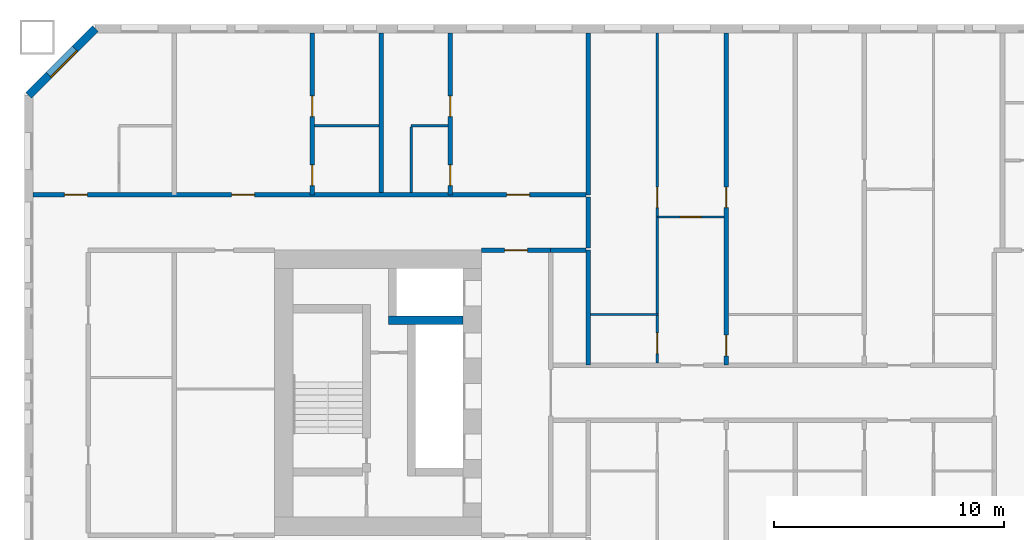
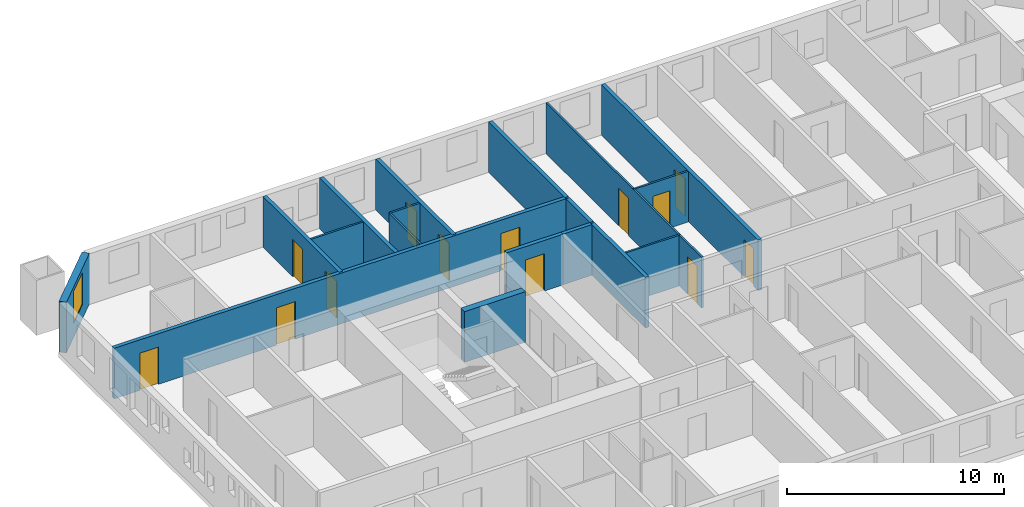
# One storey, part 5 of 17: 18 walls, 13 doors, 1 window, 14 openings.
"""IFC4 building model written with IfcOpenShell, lengths in metres."""

import ifcopenshell
import ifcopenshell.guid

model = None  # the IFC model being written
_history = None  # IfcOwnerHistory: only IFC2X3 demands one
_inside = {}  # id of a spatial element -> (the spatial element, [elements in it])
_under = {}  # id of a project, library or spatial element -> (it, [spatial elements below it])
_declared = {}  # id of a project -> (the project, [libraries it declares])
_typed = {}  # id of a type object -> (the type object, [elements of that type])
_made_of = {}  # id of a material, layer set ... -> (it, [elements and type objects made of it])


def new_model(schema):
    """Start an empty IFC model of exactly this schema.

    Asked for "IFC4X3", IfcOpenShell would pick the latest addendum, in which some entities
    have other attributes; the version numbers below select the first issue.
    IFC2X3 requires an IfcOwnerHistory on every rooted entity: one is made here for all.
    """
    global model, _history
    if schema == "IFC4X3":
        model = ifcopenshell.file(schema_version=(4, 3, 0, 0))
    else:
        model = ifcopenshell.file(schema=schema)
    _inside.clear()
    _under.clear()
    _declared.clear()
    _typed.clear()
    _made_of.clear()
    _history = None
    if model.schema == "IFC2X3":
        org = make("IfcOrganization", Name="unknown")
        user = make(
            "IfcPersonAndOrganization",
            ThePerson=make("IfcPerson", FamilyName="unknown"),
            TheOrganization=org,
        )
        app = make(
            "IfcApplication",
            ApplicationDeveloper=org,
            Version="unknown",
            ApplicationFullName="unknown",
            ApplicationIdentifier="unknown",
        )
        _history = make(
            "IfcOwnerHistory",
            OwningUser=user,
            OwningApplication=app,
            ChangeAction="ADDED",
            CreationDate=0,
        )
    return model


def make(cls, **values):
    """One entity of the class cls with the attributes given. An attribute that is None is left unset."""
    return model.create_entity(
        cls, **{name: value for name, value in values.items() if value is not None}
    )


def rooted(cls, **values):
    """An entity with a GlobalId (a new one), such as an element, a storey or a relation."""
    return make(cls, GlobalId=ifcopenshell.guid.new(), OwnerHistory=_history, **values)


def si_unit(unit_type, name, prefix=None):
    """IfcSIUnit, for example si_unit("LENGTHUNIT", "METRE", prefix="MILLI")."""
    return make("IfcSIUnit", UnitType=unit_type, Prefix=prefix, Name=name)


def assignment(units):
    """IfcUnitAssignment: the units of a project."""
    return None if units is None else make("IfcUnitAssignment", Units=units)


def point(xyz):
    """IfcCartesianPoint."""
    return None if xyz is None else make("IfcCartesianPoint", Coordinates=xyz)


def direction(xyz):
    """IfcDirection."""
    return None if xyz is None else make("IfcDirection", DirectionRatios=xyz)


def frame(location, z_axis=None, x_axis=None):
    """IfcAxis2Placement3D, a coordinate frame: its origin and axes. An axis left out is left unset."""
    return make(
        "IfcAxis2Placement3D",
        Location=point(location),
        Axis=direction(z_axis),
        RefDirection=direction(x_axis),
    )


def frame_2d(location, x_axis=None):
    """IfcAxis2Placement2D, a coordinate frame in the plane: its origin and x axis."""
    return make(
        "IfcAxis2Placement2D", Location=point(location), RefDirection=direction(x_axis)
    )


def origin():
    """The frame at (0, 0, 0) with its axes left unset."""
    return frame((0.0, 0.0, 0.0))


def place(relative_to, where):
    """IfcLocalPlacement: puts the frame where relative to a parent placement (None: the world)."""
    return make(
        "IfcLocalPlacement", PlacementRelTo=relative_to, RelativePlacement=where
    )


def context(
    kind, dimensions, precision=None, world=None, true_north=None, identifier=None
):
    """IfcGeometricRepresentationContext, for example the 3D "Model" context."""
    return make(
        "IfcGeometricRepresentationContext",
        ContextIdentifier=identifier,
        ContextType=kind,
        CoordinateSpaceDimension=dimensions,
        Precision=precision,
        WorldCoordinateSystem=world,
        TrueNorth=true_north,
    )


def subcontext(parent, identifier, kind, view, scale=None):
    """IfcGeometricRepresentationSubContext, for example "Body" below "Model"."""
    return make(
        "IfcGeometricRepresentationSubContext",
        ContextIdentifier=identifier,
        ContextType=kind,
        ParentContext=parent,
        TargetScale=scale,
        TargetView=view,
    )


def project(units=None, contexts=None):
    """IfcProject with its units and contexts."""
    return rooted(
        "IfcProject",
        Name="project",
        RepresentationContexts=contexts,
        UnitsInContext=assignment(units),
    )


def spatial(cls, under=None, at=None, **own):
    """A site, building, storey or space (cls), placed at a placement, below another one or the project."""
    s = rooted(cls, ObjectPlacement=at, **own)
    if under is not None:
        _under.setdefault(under.id(), (under, []))[1].append(s)
    return s


def profile(cls, at=None, kind="AREA", **sizes):
    """A parametric profile (cls). Its sizes go by their IFC names, for example OverallWidth=200.0."""
    return make(cls, ProfileType=kind, Position=at, **sizes)


def rectangle(**sizes):
    """IfcRectangleProfileDef."""
    return profile("IfcRectangleProfileDef", **sizes)


def extrude(swept, where, along, depth):
    """IfcExtrudedAreaSolid: the profile swept, set in the frame where, extruded along a direction by depth."""
    return make(
        "IfcExtrudedAreaSolid",
        SweptArea=swept,
        Position=where,
        ExtrudedDirection=direction(along),
        Depth=depth,
    )


def shape(context_of_items, identifier, shape_type, items):
    """IfcShapeRepresentation: the items that make up one representation, for example the "Body"."""
    return make(
        "IfcShapeRepresentation",
        ContextOfItems=context_of_items,
        RepresentationIdentifier=identifier,
        RepresentationType=shape_type,
        Items=items,
    )


def material(Name=None, Category=None):
    """IfcMaterial."""
    return make("IfcMaterial", Name=Name, Category=Category)


def layer(
    of_material, thickness, ventilated=None, Name=None, Category=None, Priority=None
):
    """IfcMaterialLayer: one layer of a wall or slab, of a material (None: an air gap)."""
    return make(
        "IfcMaterialLayer",
        Material=of_material,
        LayerThickness=thickness,
        IsVentilated=ventilated,
        Name=Name,
        Category=Category,
        Priority=Priority,
    )


def layer_set(layers, Name=None):
    """IfcMaterialLayerSet."""
    return make("IfcMaterialLayerSet", MaterialLayers=layers, LayerSetName=Name)


def made_of(thing, what):
    """Note that an element or type object is made of a material, layer set ...; save() writes the relation."""
    if what is not None:
        _made_of.setdefault(what.id(), (what, []))[1].append(thing)
    return thing


def type_object(cls, material=None, **own):
    """A type object (cls), such as IfcWallType, which elements share."""
    return made_of(rooted(cls, **own), material)


def element(
    cls,
    number,
    at=None,
    inside=None,
    cuts=None,
    type_object=None,
    material=None,
    context=None,
    identifier="Body",
    shape_type=None,
    held_by="IfcProductDefinitionShape",
    body=None,
    shapes=None,
    **own,
):
    """One element of the class cls, such as IfcWall. Its Tag is "e" and its number.

    at: its placement. inside: the storey or other place that contains it. cuts: it is an
    opening in that element (IfcRelVoidsElement). A single representation is given by context,
    identifier, shape_type and body (its items); several are given by shapes. held_by: the class
    of the entity that holds the representations. save() writes the other relations.
    """
    e = rooted(cls, Tag="e%d" % number, ObjectPlacement=at, **own)
    if body is not None:
        shapes = [shape(context, identifier, shape_type, body)]
    if shapes is not None:
        e.Representation = make(held_by, Representations=shapes)
    if inside is not None:
        _inside.setdefault(inside.id(), (inside, []))[1].append(e)
    if cuts is not None:
        rooted(
            "IfcRelVoidsElement", RelatingBuildingElement=cuts, RelatedOpeningElement=e
        )
    if type_object is not None:
        _typed.setdefault(type_object.id(), (type_object, []))[1].append(e)
    return made_of(e, material)


def fill(opening, filler):
    """IfcRelFillsElement: the door or window that sits in an opening."""
    return rooted(
        "IfcRelFillsElement",
        RelatingOpeningElement=opening,
        RelatedBuildingElement=filler,
    )


def aggregate(whole, parts):
    """IfcRelAggregates: a whole, such as a stair, and the parts it consists of."""
    return rooted("IfcRelAggregates", RelatingObject=whole, RelatedObjects=parts)


def save(model, path):
    """Write the relations noted so far, then the file.

    IfcRelAggregates (storeys below a building ...), IfcRelContainedInSpatialStructure (elements
    in a storey), IfcRelDefinesByType, IfcRelAssociatesMaterial and IfcRelDeclares: one each for
    every whole, place, type object, material and project.
    """
    for whole, parts in _under.values():
        aggregate(whole, parts)
    for where, things in _inside.values():
        rooted(
            "IfcRelContainedInSpatialStructure",
            RelatedElements=things,
            RelatingStructure=where,
        )
    for kind, things in _typed.values():
        rooted("IfcRelDefinesByType", RelatedObjects=things, RelatingType=kind)
    for what, things in _made_of.values():
        rooted("IfcRelAssociatesMaterial", RelatedObjects=things, RelatingMaterial=what)
    for by, libraries in _declared.values():
        rooted("IfcRelDeclares", RelatingContext=by, RelatedDefinitions=libraries)
    model.write(path)


model = new_model("IFC4")

# Units and contexts
model_context = context("Model", 3, precision=1e-05, world=origin(), true_north=direction((0.0, 1.0)))
body_context = subcontext(model_context, "Body", "Model", "MODEL_VIEW")
ifc_project = project(units=[si_unit("LENGTHUNIT", "METRE"), si_unit("AREAUNIT", "SQUARE_METRE"), si_unit("VOLUMEUNIT", "CUBIC_METRE"), si_unit("PLANEANGLEUNIT", "RADIAN"), si_unit("MASSUNIT", "GRAM", prefix="KILO")], contexts=[model_context])

# Site, building, storey
site_placement = place(None, origin())
site = spatial("IfcSite", under=ifc_project, at=site_placement, CompositionType="ELEMENT")
building_placement = place(site_placement, origin())
building = spatial("IfcBuilding", under=site, at=building_placement, Name="Tuart Gate Housing", CompositionType="ELEMENT")
storey_placement = place(building_placement, frame((0.0, 0.0, 50.5)))
storey = spatial("IfcBuildingStorey", under=building, at=storey_placement, Name="L13", CompositionType="ELEMENT", Elevation=50.5)

# Wall, opening, window
ifc_material_1 = material(Name="Brick", Category="masonry")
ifc_layer_1 = layer(ifc_material_1, 0.360107421875)
ifc_layer_set_1 = layer_set([ifc_layer_1], Name="Brick pier and spandrel wall 360")
wall_type_1 = type_object("IfcWallType", Name="Brick pier and spandrel wall 360", PredefinedType="STANDARD", material=ifc_layer_set_1)
wall_1_placement = place(storey_placement, frame((24.57470703125, 85.820068359375, 0.0), z_axis=(0.0, 0.0, 1.0), x_axis=(-0.707106781187, -0.707106781187, 0.0)))
wall_1 = element("IfcWall", 1, at=wall_1_placement, inside=storey, type_object=wall_type_1, Name="External wall A-NW L13", PredefinedType="STANDARD", context=body_context, shape_type="SweptSolid", body=[
    extrude(rectangle(XDim=4.09375, YDim=0.360107421875, at=frame_2d((2.046875, 0.0))), origin(), (0.0, 0.0, 1.0), 2.85009765625),
])
opening_1_placement = place(wall_1_placement, frame((1.2470703125, 0.0, 0.800048828125)))
opening_1 = element("IfcOpeningElement", 2, at=opening_1_placement, cuts=wall_1, Name="Opening W1", PredefinedType="OPENING", context=body_context, shape_type="SweptSolid", body=[
    extrude(rectangle(XDim=1.60009765625, YDim=1.800048828125, at=frame_2d((0.800048828125, 0.89990234375))), frame((0.0, 0.18994140625, 0.0), z_axis=(0.0, -1.0, 0.0), x_axis=(1.0, 0.0, 0.0)), (0.0, 0.0, 1.0), 0.380126953125),
])
ifc_material_2 = material(Name="Aluminium frame with clear glass", Category="aluminium")
window_type = type_object("IfcWindowType", Name="Punched window 1600 x 1800", PartitioningType="SINGLE_PANEL", PredefinedType="WINDOW", material=ifc_material_2)
window_placement = place(opening_1_placement, origin())
window = element("IfcWindow", 3, at=window_placement, inside=storey, type_object=window_type, Name="Window W1", OverallHeight=1.800048828125, OverallWidth=1.60009765625, PartitioningType="SINGLE_PANEL", PredefinedType="WINDOW", context=body_context, shape_type="SweptSolid", body=[
    extrude(rectangle(XDim=1.60009765625, YDim=1.800048828125, at=frame_2d((0.800048828125, 0.89990234375))), frame((0.0, 0.150146484375, 0.0), z_axis=(0.0, -1.0, 0.0), x_axis=(1.0, 0.0, 0.0)), (0.0, 0.0, 1.0), 0.06005859375),
])
fill(opening_1, window)

# Walls
ifc_material_3 = material(Name="Concrete C60", Category="concrete")
ifc_layer_2 = layer(ifc_material_3, 0.35009765625)
ifc_layer_set_2 = layer_set([ifc_layer_2], Name="Core wall 350 C60")
wall_type_2 = type_object("IfcWallType", Name="Core wall 350 C60", PredefinedType="SHEAR", material=ifc_layer_set_2)
wall_2_placement = place(storey_placement, frame((40.56005859375, 73.14990234375, 0.0), z_axis=(0.0, 0.0, 1.0), x_axis=(-1.0, 0.0, 0.0)))
element("IfcWall", 4, at=wall_2_placement, inside=storey, type_object=wall_type_2, Name="Core wall AK.2", PredefinedType="SHEAR", context=body_context, shape_type="SweptSolid", body=[
    extrude(rectangle(XDim=3.2451171875, YDim=0.35009765625, at=frame_2d((1.62255859375, 0.0))), origin(), (0.0, 0.0, 1.0), 2.85009765625),
])
ifc_material_4 = material(Name="Concrete masonry 15 MPa", Category="masonry")
ifc_layer_3 = layer(ifc_material_4, 0.199951171875)
ifc_layer_set_3 = layer_set([ifc_layer_3], Name="Corridor wall masonry 200")
wall_type_3 = type_object("IfcWallType", Name="Corridor wall masonry 200", PredefinedType="PARTITIONING", material=ifc_layer_set_3)
wall_3_placement = place(storey_placement, frame((44.360107421875, 76.199951171875, 0.0), z_axis=(0.0, 0.0, 1.0), x_axis=(1.0, 0.0, 0.0)))
element("IfcWall", 5, at=wall_3_placement, inside=storey, type_object=wall_type_3, Name="Corridor wall masonry 200", PredefinedType="PARTITIONING", context=body_context, shape_type="SweptSolid", body=[
    extrude(rectangle(XDim=1.539794921875, YDim=0.199951171875, at=frame_2d((0.77001953125, 0.0))), origin(), (0.0, 0.0, 1.0), 2.85009765625),
])

# Wall, openings, doors
wall_4_placement = place(storey_placement, frame((21.860107421875, 78.60009765625, 0.0), z_axis=(0.0, 0.0, 1.0), x_axis=(1.0, 0.0, 0.0)))
wall_4 = element("IfcWall", 6, at=wall_4_placement, inside=storey, type_object=wall_type_3, Name="Corridor wall masonry 200", PredefinedType="PARTITIONING", context=body_context, shape_type="SweptSolid", body=[
    extrude(rectangle(XDim=24.039794921875, YDim=0.199951171875, at=frame_2d((12.02001953125, 0.0))), origin(), (0.0, 0.0, 1.0), 2.85009765625),
])
opening_2_placement = place(wall_4_placement, frame((20.590087890625, 0.0, 0.0)))
opening_2 = element("IfcOpeningElement", 7, at=opening_2_placement, cuts=wall_4, Name="Opening D600", PredefinedType="OPENING", context=body_context, shape_type="SweptSolid", body=[
    extrude(rectangle(XDim=1.0, YDim=2.10009765625, at=frame_2d((0.5, 1.050048828125))), frame((0.0, 0.10986328125, 0.0), z_axis=(0.0, -1.0, 0.0), x_axis=(1.0, 0.0, 0.0)), (0.0, 0.0, 1.0), 0.219970703125),
])
opening_3_placement = place(wall_4_placement, frame((8.639892578125, 0.0, 0.0)))
opening_3 = element("IfcOpeningElement", 8, at=opening_3_placement, cuts=wall_4, Name="Opening D601", PredefinedType="OPENING", context=body_context, shape_type="SweptSolid", body=[
    extrude(rectangle(XDim=1.0, YDim=2.10009765625, at=frame_2d((0.5, 1.050048828125))), frame((0.0, 0.10986328125, 0.0), z_axis=(0.0, -1.0, 0.0), x_axis=(1.0, 0.0, 0.0)), (0.0, 0.0, 1.0), 0.219970703125),
])
opening_4_placement = place(wall_4_placement, frame((1.3701171875, 0.0, 0.0)))
opening_4 = element("IfcOpeningElement", 9, at=opening_4_placement, cuts=wall_4, Name="Opening D602", PredefinedType="OPENING", context=body_context, shape_type="SweptSolid", body=[
    extrude(rectangle(XDim=1.0, YDim=2.10009765625, at=frame_2d((0.5, 1.050048828125))), frame((0.0, 0.10986328125, 0.0), z_axis=(0.0, -1.0, 0.0), x_axis=(1.0, 0.0, 0.0)), (0.0, 0.0, 1.0), 0.219970703125),
])
ifc_material_5 = material(Name="Timber door leaf in steel frame", Category="steel")
door_type_1 = type_object("IfcDoorType", Name="Flat entrance door 1000", OperationType="SINGLE_SWING_LEFT", PredefinedType="DOOR", material=ifc_material_5)
door_1_placement = place(opening_2_placement, origin())
door_1 = element("IfcDoor", 10, at=door_1_placement, inside=storey, type_object=door_type_1, Name="Flat entrance door", OperationType="SINGLE_SWING_LEFT", OverallHeight=2.10009765625, OverallWidth=1.0, PredefinedType="DOOR", context=body_context, shape_type="SweptSolid", body=[
    extrude(rectangle(XDim=1.0, YDim=2.10009765625, at=frame_2d((0.5, 1.050048828125))), frame((0.0, 0.02490234375, 0.0), z_axis=(0.0, -1.0, 0.0), x_axis=(1.0, 0.0, 0.0)), (0.0, 0.0, 1.0), 0.050048828125),
])
fill(opening_2, door_1)
door_2_placement = place(opening_3_placement, origin())
door_2 = element("IfcDoor", 11, at=door_2_placement, inside=storey, type_object=door_type_1, Name="Flat entrance door", OperationType="SINGLE_SWING_LEFT", OverallHeight=2.10009765625, OverallWidth=1.0, PredefinedType="DOOR", context=body_context, shape_type="SweptSolid", body=[
    extrude(rectangle(XDim=1.0, YDim=2.10009765625, at=frame_2d((0.5, 1.050048828125))), frame((0.0, 0.02490234375, 0.0), z_axis=(0.0, -1.0, 0.0), x_axis=(1.0, 0.0, 0.0)), (0.0, 0.0, 1.0), 0.050048828125),
])
fill(opening_3, door_2)
door_3_placement = place(opening_4_placement, origin())
door_3 = element("IfcDoor", 12, at=door_3_placement, inside=storey, type_object=door_type_1, Name="Flat entrance door", OperationType="SINGLE_SWING_LEFT", OverallHeight=2.10009765625, OverallWidth=1.0, PredefinedType="DOOR", context=body_context, shape_type="SweptSolid", body=[
    extrude(rectangle(XDim=1.0, YDim=2.10009765625, at=frame_2d((0.5, 1.050048828125))), frame((0.0, 0.02490234375, 0.0), z_axis=(0.0, -1.0, 0.0), x_axis=(1.0, 0.0, 0.0)), (0.0, 0.0, 1.0), 0.050048828125),
])
fill(opening_4, door_3)

# Wall
wall_5_placement = place(storey_placement, frame((46.0, 76.300048828125, 0.0), z_axis=(0.0, 0.0, 1.0), x_axis=(0.0, 1.0, 0.0)))
element("IfcWall", 13, at=wall_5_placement, inside=storey, type_object=wall_type_3, Name="Corridor wall masonry 200", PredefinedType="PARTITIONING", context=body_context, shape_type="SweptSolid", body=[
    extrude(rectangle(XDim=2.199951171875, YDim=0.199951171875, at=frame_2d((1.10009765625, 0.0))), origin(), (0.0, 0.0, 1.0), 2.85009765625),
])

# Wall, opening, door
ifc_material_6 = material(Name="Concrete masonry 15 MPa", Category="masonry")
ifc_layer_4 = layer(ifc_material_6, 0.199951171875)
ifc_layer_set_4 = layer_set([ifc_layer_4], Name="Enclosure wall masonry 200")
wall_type_4 = type_object("IfcWallType", Name="Enclosure wall masonry 200", PredefinedType="PARTITIONING", material=ifc_layer_set_4)
wall_6_placement = place(storey_placement, frame((41.360107421875, 76.199951171875, 0.0), z_axis=(0.0, 0.0, 1.0), x_axis=(1.0, 0.0, 0.0)))
wall_6 = element("IfcWall", 14, at=wall_6_placement, inside=storey, type_object=wall_type_4, Name="Enclosure wall masonry 200", PredefinedType="PARTITIONING", context=body_context, shape_type="SweptSolid", body=[
    extrude(rectangle(XDim=3.0, YDim=0.199951171875, at=frame_2d((1.5, 0.0))), origin(), (0.0, 0.0, 1.0), 2.85009765625),
])
opening_5_placement = place(wall_6_placement, frame((1.0, 0.0, 0.0)))
opening_5 = element("IfcOpeningElement", 15, at=opening_5_placement, cuts=wall_6, Name="Opening D613", PredefinedType="OPENING", context=body_context, shape_type="SweptSolid", body=[
    extrude(rectangle(XDim=1.0, YDim=2.10009765625, at=frame_2d((0.5, 1.050048828125))), frame((0.0, 0.10986328125, 0.0), z_axis=(0.0, -1.0, 0.0), x_axis=(1.0, 0.0, 0.0)), (0.0, 0.0, 1.0), 0.219970703125),
])
ifc_material_7 = material(Name="Timber door leaf in steel frame", Category="steel")
door_type_2 = type_object("IfcDoorType", Name="Fire door 1000 RH", OperationType="SINGLE_SWING_RIGHT", PredefinedType="DOOR", material=ifc_material_7)
door_4_placement = place(opening_5_placement, origin())
door_4 = element("IfcDoor", 16, at=door_4_placement, inside=storey, type_object=door_type_2, Name="Fire door", OperationType="SINGLE_SWING_RIGHT", OverallHeight=2.10009765625, OverallWidth=1.0, PredefinedType="DOOR", context=body_context, shape_type="SweptSolid", body=[
    extrude(rectangle(XDim=1.0, YDim=2.10009765625, at=frame_2d((0.5, 1.050048828125))), frame((0.0, 0.02490234375, 0.0), z_axis=(0.0, -1.0, 0.0), x_axis=(1.0, 0.0, 0.0)), (0.0, 0.0, 1.0), 0.050048828125),
])
fill(opening_5, door_4)

# Wall
ifc_material_8 = material(Name="Gypsum board on steel studs", Category="steel")
ifc_layer_5 = layer(ifc_material_8, 0.10009765625)
ifc_layer_set_5 = layer_set([ifc_layer_5], Name="Partition 100")
wall_type_5 = type_object("IfcWallType", Name="Partition 100", PredefinedType="PARTITIONING", material=ifc_layer_set_5)
wall_7_placement = place(storey_placement, frame((46.10009765625, 73.39990234375, 0.0), z_axis=(0.0, 0.0, 1.0), x_axis=(1.0, 0.0, 0.0)))
element("IfcWall", 17, at=wall_7_placement, inside=storey, type_object=wall_type_5, Name="Partition 100", PredefinedType="PARTITIONING", context=body_context, shape_type="SweptSolid", body=[
    extrude(rectangle(XDim=2.89990234375, YDim=0.10009765625, at=frame_2d((1.449951171875, 0.0))), origin(), (0.0, 0.0, 1.0), 2.85009765625),
])

# Wall, opening, door
wall_8_placement = place(storey_placement, frame((49.0, 77.639892578125, 0.0), z_axis=(0.0, 0.0, 1.0), x_axis=(1.0, 0.0, 0.0)))
wall_8 = element("IfcWall", 18, at=wall_8_placement, inside=storey, type_object=wall_type_5, Name="Partition 100", PredefinedType="PARTITIONING", context=body_context, shape_type="SweptSolid", body=[
    extrude(rectangle(XDim=2.89990234375, YDim=0.10009765625, at=frame_2d((1.449951171875, 0.0))), origin(), (0.0, 0.0, 1.0), 2.85009765625),
])
opening_6_placement = place(wall_8_placement, frame((1.0, 0.0, 0.0)))
opening_6 = element("IfcOpeningElement", 19, at=opening_6_placement, cuts=wall_8, Name="Opening D611", PredefinedType="OPENING", context=body_context, shape_type="SweptSolid", body=[
    extrude(rectangle(XDim=0.89990234375, YDim=2.10009765625, at=frame_2d((0.449951171875, 1.050048828125))), frame((0.0, 0.06005859375, 0.0), z_axis=(0.0, -1.0, 0.0), x_axis=(1.0, 0.0, 0.0)), (0.0, 0.0, 1.0), 0.1201171875),
])
ifc_material_9 = material(Name="Timber door leaf in steel frame", Category="steel")
door_type_3 = type_object("IfcDoorType", Name="Internal door 900 RH", OperationType="SINGLE_SWING_RIGHT", PredefinedType="DOOR", material=ifc_material_9)
door_5_placement = place(opening_6_placement, frame((0.89990234375, 0.0, 0.0), z_axis=(0.0, 0.0, 1.0), x_axis=(-1.0, 0.0, 0.0)))
door_5 = element("IfcDoor", 20, at=door_5_placement, inside=storey, type_object=door_type_3, Name="Internal door", OperationType="SINGLE_SWING_RIGHT", OverallHeight=2.10009765625, OverallWidth=0.89990234375, PredefinedType="DOOR", context=body_context, shape_type="SweptSolid", body=[
    extrude(rectangle(XDim=0.89990234375, YDim=2.10009765625, at=frame_2d((0.449951171875, 1.050048828125))), frame((0.0, 0.025146484375, 0.0), z_axis=(0.0, -1.0, 0.0), x_axis=(1.0, 0.0, 0.0)), (0.0, 0.0, 1.0), 0.050048828125),
])
fill(opening_6, door_5)

# Walls
wall_9_placement = place(storey_placement, frame((34.10009765625, 81.60009765625, 0.0), z_axis=(0.0, 0.0, 1.0), x_axis=(1.0, 0.0, 0.0)))
element("IfcWall", 21, at=wall_9_placement, inside=storey, type_object=wall_type_5, Name="Partition 100", PredefinedType="PARTITIONING", context=body_context, shape_type="SweptSolid", body=[
    extrude(rectangle(XDim=2.7998046875, YDim=0.10009765625, at=frame_2d((1.39990234375, 0.0))), origin(), (0.0, 0.0, 1.0), 2.85009765625),
])
wall_10_placement = place(storey_placement, frame((38.300048828125, 81.60009765625, 0.0), z_axis=(0.0, 0.0, 1.0), x_axis=(1.0, 0.0, 0.0)))
element("IfcWall", 22, at=wall_10_placement, inside=storey, type_object=wall_type_5, Name="Partition 100", PredefinedType="PARTITIONING", context=body_context, shape_type="SweptSolid", body=[
    extrude(rectangle(XDim=1.599853515625, YDim=0.10009765625, at=frame_2d((0.7998046875, 0.0))), origin(), (0.0, 0.0, 1.0), 2.85009765625),
])
wall_11_placement = place(storey_placement, frame((38.300048828125, 78.699951171875, 0.0), z_axis=(0.0, 0.0, 1.0), x_axis=(0.0, 1.0, 0.0)))
element("IfcWall", 23, at=wall_11_placement, inside=storey, type_object=wall_type_5, Name="Partition 100", PredefinedType="PARTITIONING", context=body_context, shape_type="SweptSolid", body=[
    extrude(rectangle(XDim=2.85009765625, YDim=0.10009765625, at=frame_2d((1.425048828125, 0.0))), origin(), (0.0, 0.0, 1.0), 2.85009765625),
])

# Wall, openings, doors
wall_12_placement = place(storey_placement, frame((49.0, 71.300048828125, 0.0), z_axis=(0.0, 0.0, 1.0), x_axis=(0.0, 1.0, 0.0)))
wall_12 = element("IfcWall", 24, at=wall_12_placement, inside=storey, type_object=wall_type_5, Name="Partition 100", PredefinedType="PARTITIONING", context=body_context, shape_type="SweptSolid", body=[
    extrude(rectangle(XDim=14.33984375, YDim=0.10009765625, at=frame_2d((7.169921875, 0.0))), origin(), (0.0, 0.0, 1.0), 2.85009765625),
])
opening_7_placement = place(wall_12_placement, frame((6.739990234375, 0.0, 0.0)))
opening_7 = element("IfcOpeningElement", 25, at=opening_7_placement, cuts=wall_12, Name="Opening D604", PredefinedType="OPENING", context=body_context, shape_type="SweptSolid", body=[
    extrude(rectangle(XDim=0.89990234375, YDim=2.10009765625, at=frame_2d((0.449951171875, 1.050048828125))), frame((0.0, 0.06005859375, 0.0), z_axis=(0.0, -1.0, 0.0), x_axis=(1.0, 0.0, 0.0)), (0.0, 0.0, 1.0), 0.1201171875),
])
opening_8_placement = place(wall_12_placement, frame((0.39990234375, 0.0, 0.0)))
opening_8 = element("IfcOpeningElement", 26, at=opening_8_placement, cuts=wall_12, Name="Opening D603", PredefinedType="OPENING", context=body_context, shape_type="SweptSolid", body=[
    extrude(rectangle(XDim=0.89990234375, YDim=2.10009765625, at=frame_2d((0.449951171875, 1.050048828125))), frame((0.0, 0.06005859375, 0.0), z_axis=(0.0, -1.0, 0.0), x_axis=(1.0, 0.0, 0.0)), (0.0, 0.0, 1.0), 0.1201171875),
])
ifc_material_10 = material(Name="Timber door leaf in steel frame", Category="steel")
door_type_4 = type_object("IfcDoorType", Name="Bathroom door 900", OperationType="SINGLE_SWING_LEFT", PredefinedType="DOOR", material=ifc_material_10)
door_6_placement = place(opening_8_placement, origin())
door_6 = element("IfcDoor", 27, at=door_6_placement, inside=storey, type_object=door_type_4, Name="Bathroom door", OperationType="SINGLE_SWING_LEFT", OverallHeight=2.10009765625, OverallWidth=0.89990234375, PredefinedType="DOOR", context=body_context, shape_type="SweptSolid", body=[
    extrude(rectangle(XDim=0.89990234375, YDim=2.10009765625, at=frame_2d((0.449951171875, 1.050048828125))), frame((0.0, 0.02490234375, 0.0), z_axis=(0.0, -1.0, 0.0), x_axis=(1.0, 0.0, 0.0)), (0.0, 0.0, 1.0), 0.050048828125),
])
fill(opening_8, door_6)
ifc_material_11 = material(Name="Timber door leaf in steel frame", Category="steel")
door_type_5 = type_object("IfcDoorType", Name="Internal door 900", OperationType="SINGLE_SWING_LEFT", PredefinedType="DOOR", material=ifc_material_11)
door_7_placement = place(opening_7_placement, origin())
door_7 = element("IfcDoor", 28, at=door_7_placement, inside=storey, type_object=door_type_5, Name="Internal door", OperationType="SINGLE_SWING_LEFT", OverallHeight=2.10009765625, OverallWidth=0.89990234375, PredefinedType="DOOR", context=body_context, shape_type="SweptSolid", body=[
    extrude(rectangle(XDim=0.89990234375, YDim=2.10009765625, at=frame_2d((0.449951171875, 1.050048828125))), frame((0.0, 0.02490234375, 0.0), z_axis=(0.0, -1.0, 0.0), x_axis=(1.0, 0.0, 0.0)), (0.0, 0.0, 1.0), 0.050048828125),
])
fill(opening_7, door_7)

ifc_material_12 = material(Name="Concrete C40", Category="concrete")
ifc_layer_6 = layer(ifc_material_12, 0.199951171875)
ifc_layer_set_6 = layer_set([ifc_layer_6], Name="Party wall concrete C40 200")
wall_type_6 = type_object("IfcWallType", Name="Party wall concrete C40 200", PredefinedType="SOLIDWALL", material=ifc_layer_set_6)
wall_13_placement = place(storey_placement, frame((34.0, 78.60009765625, 0.0), z_axis=(0.0, 0.0, 1.0), x_axis=(0.0, 1.0, 0.0)))
wall_13 = element("IfcWall", 29, at=wall_13_placement, inside=storey, type_object=wall_type_6, Name="Party wall concrete C40 200", PredefinedType="SOLIDWALL", context=body_context, shape_type="SweptSolid", body=[
    extrude(rectangle(XDim=7.039794921875, YDim=0.199951171875, at=frame_2d((3.52001953125, 0.0))), origin(), (0.0, 0.0, 1.0), 2.85009765625),
])
opening_9_placement = place(wall_13_placement, frame((3.39990234375, 0.0, 0.0)))
opening_9 = element("IfcOpeningElement", 30, at=opening_9_placement, cuts=wall_13, Name="Opening D591", PredefinedType="OPENING", context=body_context, shape_type="SweptSolid", body=[
    extrude(rectangle(XDim=0.89990234375, YDim=2.10009765625, at=frame_2d((0.449951171875, 1.050048828125))), frame((0.0, 0.10986328125, 0.0), z_axis=(0.0, -1.0, 0.0), x_axis=(1.0, 0.0, 0.0)), (0.0, 0.0, 1.0), 0.219970703125),
])
opening_10_placement = place(wall_13_placement, frame((0.39990234375, 0.0, 0.0)))
opening_10 = element("IfcOpeningElement", 31, at=opening_10_placement, cuts=wall_13, Name="Opening D590", PredefinedType="OPENING", context=body_context, shape_type="SweptSolid", body=[
    extrude(rectangle(XDim=0.89990234375, YDim=2.10009765625, at=frame_2d((0.449951171875, 1.050048828125))), frame((0.0, 0.10986328125, 0.0), z_axis=(0.0, -1.0, 0.0), x_axis=(1.0, 0.0, 0.0)), (0.0, 0.0, 1.0), 0.219970703125),
])
ifc_material_13 = material(Name="Timber door leaf in steel frame", Category="steel")
door_type_6 = type_object("IfcDoorType", Name="Bathroom door 900 RH", OperationType="SINGLE_SWING_RIGHT", PredefinedType="DOOR", material=ifc_material_13)
door_8_placement = place(opening_10_placement, frame((0.89990234375, 0.0, 0.0), z_axis=(0.0, 0.0, 1.0), x_axis=(-1.0, 0.0, 0.0)))
door_8 = element("IfcDoor", 32, at=door_8_placement, inside=storey, type_object=door_type_6, Name="Bathroom door", OperationType="SINGLE_SWING_RIGHT", OverallHeight=2.10009765625, OverallWidth=0.89990234375, PredefinedType="DOOR", context=body_context, shape_type="SweptSolid", body=[
    extrude(rectangle(XDim=0.89990234375, YDim=2.10009765625, at=frame_2d((0.449951171875, 1.050048828125))), frame((0.0, 0.025146484375, 0.0), z_axis=(0.0, -1.0, 0.0), x_axis=(1.0, 0.0, 0.0)), (0.0, 0.0, 1.0), 0.050048828125),
])
fill(opening_10, door_8)
door_9_placement = place(opening_9_placement, frame((0.89990234375, 0.0, 0.0), z_axis=(0.0, 0.0, 1.0), x_axis=(-1.0, 0.0, 0.0)))
door_9 = element("IfcDoor", 33, at=door_9_placement, inside=storey, type_object=door_type_3, Name="Internal door", OperationType="SINGLE_SWING_RIGHT", OverallHeight=2.10009765625, OverallWidth=0.89990234375, PredefinedType="DOOR", context=body_context, shape_type="SweptSolid", body=[
    extrude(rectangle(XDim=0.89990234375, YDim=2.10009765625, at=frame_2d((0.449951171875, 1.050048828125))), frame((0.0, 0.025146484375, 0.0), z_axis=(0.0, -1.0, 0.0), x_axis=(1.0, 0.0, 0.0)), (0.0, 0.0, 1.0), 0.050048828125),
])
fill(opening_9, door_9)

wall_14_placement = place(storey_placement, frame((40.0, 78.60009765625, 0.0), z_axis=(0.0, 0.0, 1.0), x_axis=(0.0, 1.0, 0.0)))
wall_14 = element("IfcWall", 34, at=wall_14_placement, inside=storey, type_object=wall_type_6, Name="Party wall concrete C40 200", PredefinedType="SOLIDWALL", context=body_context, shape_type="SweptSolid", body=[
    extrude(rectangle(XDim=7.039794921875, YDim=0.199951171875, at=frame_2d((3.52001953125, 0.0))), origin(), (0.0, 0.0, 1.0), 2.85009765625),
])
opening_11_placement = place(wall_14_placement, frame((3.39990234375, 0.0, 0.0)))
opening_11 = element("IfcOpeningElement", 35, at=opening_11_placement, cuts=wall_14, Name="Opening D593", PredefinedType="OPENING", context=body_context, shape_type="SweptSolid", body=[
    extrude(rectangle(XDim=0.89990234375, YDim=2.10009765625, at=frame_2d((0.449951171875, 1.050048828125))), frame((0.0, 0.10986328125, 0.0), z_axis=(0.0, -1.0, 0.0), x_axis=(1.0, 0.0, 0.0)), (0.0, 0.0, 1.0), 0.219970703125),
])
opening_12_placement = place(wall_14_placement, frame((0.39990234375, 0.0, 0.0)))
opening_12 = element("IfcOpeningElement", 36, at=opening_12_placement, cuts=wall_14, Name="Opening D592", PredefinedType="OPENING", context=body_context, shape_type="SweptSolid", body=[
    extrude(rectangle(XDim=0.89990234375, YDim=2.10009765625, at=frame_2d((0.449951171875, 1.050048828125))), frame((0.0, 0.10986328125, 0.0), z_axis=(0.0, -1.0, 0.0), x_axis=(1.0, 0.0, 0.0)), (0.0, 0.0, 1.0), 0.219970703125),
])
door_10_placement = place(opening_12_placement, origin())
door_10 = element("IfcDoor", 37, at=door_10_placement, inside=storey, type_object=door_type_4, Name="Bathroom door", OperationType="SINGLE_SWING_LEFT", OverallHeight=2.10009765625, OverallWidth=0.89990234375, PredefinedType="DOOR", context=body_context, shape_type="SweptSolid", body=[
    extrude(rectangle(XDim=0.89990234375, YDim=2.10009765625, at=frame_2d((0.449951171875, 1.050048828125))), frame((0.0, 0.02490234375, 0.0), z_axis=(0.0, -1.0, 0.0), x_axis=(1.0, 0.0, 0.0)), (0.0, 0.0, 1.0), 0.050048828125),
])
fill(opening_12, door_10)
door_11_placement = place(opening_11_placement, origin())
door_11 = element("IfcDoor", 38, at=door_11_placement, inside=storey, type_object=door_type_5, Name="Internal door", OperationType="SINGLE_SWING_LEFT", OverallHeight=2.10009765625, OverallWidth=0.89990234375, PredefinedType="DOOR", context=body_context, shape_type="SweptSolid", body=[
    extrude(rectangle(XDim=0.89990234375, YDim=2.10009765625, at=frame_2d((0.449951171875, 1.050048828125))), frame((0.0, 0.02490234375, 0.0), z_axis=(0.0, -1.0, 0.0), x_axis=(1.0, 0.0, 0.0)), (0.0, 0.0, 1.0), 0.050048828125),
])
fill(opening_11, door_11)

# Walls
wall_15_placement = place(storey_placement, frame((46.0, 71.199951171875, 0.0), z_axis=(0.0, 0.0, 1.0), x_axis=(0.0, 1.0, 0.0)))
element("IfcWall", 39, at=wall_15_placement, inside=storey, type_object=wall_type_6, Name="Party wall concrete C40 200", PredefinedType="SOLIDWALL", context=body_context, shape_type="SweptSolid", body=[
    extrude(rectangle(XDim=5.0, YDim=0.199951171875, at=frame_2d((2.5, 0.0))), origin(), (0.0, 0.0, 1.0), 2.85009765625),
])
wall_16_placement = place(storey_placement, frame((46.0, 78.60009765625, 0.0), z_axis=(0.0, 0.0, 1.0), x_axis=(0.0, 1.0, 0.0)))
element("IfcWall", 40, at=wall_16_placement, inside=storey, type_object=wall_type_6, Name="Party wall concrete C40 200", PredefinedType="SOLIDWALL", context=body_context, shape_type="SweptSolid", body=[
    extrude(rectangle(XDim=7.039794921875, YDim=0.199951171875, at=frame_2d((3.52001953125, 0.0))), origin(), (0.0, 0.0, 1.0), 2.85009765625),
])

# Wall, openings, doors
wall_17_placement = place(storey_placement, frame((52.0, 71.199951171875, 0.0), z_axis=(0.0, 0.0, 1.0), x_axis=(0.0, 1.0, 0.0)))
wall_17 = element("IfcWall", 41, at=wall_17_placement, inside=storey, type_object=wall_type_6, Name="Party wall concrete C40 200", PredefinedType="SOLIDWALL", context=body_context, shape_type="SweptSolid", body=[
    extrude(rectangle(XDim=14.43994140625, YDim=0.199951171875, at=frame_2d((7.219970703125, 0.0))), origin(), (0.0, 0.0, 1.0), 2.85009765625),
])
opening_13_placement = place(wall_17_placement, frame((6.840087890625, 0.0, 0.0)))
opening_13 = element("IfcOpeningElement", 42, at=opening_13_placement, cuts=wall_17, Name="Opening D608", PredefinedType="OPENING", context=body_context, shape_type="SweptSolid", body=[
    extrude(rectangle(XDim=0.89990234375, YDim=2.10009765625, at=frame_2d((0.449951171875, 1.050048828125))), frame((0.0, 0.10986328125, 0.0), z_axis=(0.0, -1.0, 0.0), x_axis=(1.0, 0.0, 0.0)), (0.0, 0.0, 1.0), 0.219970703125),
])
opening_14_placement = place(wall_17_placement, frame((0.39990234375, 0.0, 0.0)))
opening_14 = element("IfcOpeningElement", 43, at=opening_14_placement, cuts=wall_17, Name="Opening D607", PredefinedType="OPENING", context=body_context, shape_type="SweptSolid", body=[
    extrude(rectangle(XDim=0.89990234375, YDim=2.10009765625, at=frame_2d((0.449951171875, 1.050048828125))), frame((0.0, 0.10986328125, 0.0), z_axis=(0.0, -1.0, 0.0), x_axis=(1.0, 0.0, 0.0)), (0.0, 0.0, 1.0), 0.219970703125),
])
door_12_placement = place(opening_14_placement, frame((0.89990234375, 0.0, 0.0), z_axis=(0.0, 0.0, 1.0), x_axis=(-1.0, 0.0, 0.0)))
door_12 = element("IfcDoor", 44, at=door_12_placement, inside=storey, type_object=door_type_6, Name="Bathroom door", OperationType="SINGLE_SWING_RIGHT", OverallHeight=2.10009765625, OverallWidth=0.89990234375, PredefinedType="DOOR", context=body_context, shape_type="SweptSolid", body=[
    extrude(rectangle(XDim=0.89990234375, YDim=2.10009765625, at=frame_2d((0.449951171875, 1.050048828125))), frame((0.0, 0.025146484375, 0.0), z_axis=(0.0, -1.0, 0.0), x_axis=(1.0, 0.0, 0.0)), (0.0, 0.0, 1.0), 0.050048828125),
])
fill(opening_14, door_12)
door_13_placement = place(opening_13_placement, frame((0.89990234375, 0.0, 0.0), z_axis=(0.0, 0.0, 1.0), x_axis=(-1.0, 0.0, 0.0)))
door_13 = element("IfcDoor", 45, at=door_13_placement, inside=storey, type_object=door_type_3, Name="Internal door", OperationType="SINGLE_SWING_RIGHT", OverallHeight=2.10009765625, OverallWidth=0.89990234375, PredefinedType="DOOR", context=body_context, shape_type="SweptSolid", body=[
    extrude(rectangle(XDim=0.89990234375, YDim=2.10009765625, at=frame_2d((0.449951171875, 1.050048828125))), frame((0.0, 0.025146484375, 0.0), z_axis=(0.0, -1.0, 0.0), x_axis=(1.0, 0.0, 0.0)), (0.0, 0.0, 1.0), 0.050048828125),
])
fill(opening_13, door_13)

# Wall
ifc_material_14 = material(Name="Concrete masonry 15 MPa", Category="masonry")
ifc_layer_7 = layer(ifc_material_14, 0.199951171875)
ifc_layer_set_7 = layer_set([ifc_layer_7], Name="Party wall masonry 200")
wall_type_7 = type_object("IfcWallType", Name="Party wall masonry 200", PredefinedType="PARTITIONING", material=ifc_layer_set_7)
wall_18_placement = place(storey_placement, frame((37.0, 78.699951171875, 0.0), z_axis=(0.0, 0.0, 1.0), x_axis=(0.0, 1.0, 0.0)))
element("IfcWall", 46, at=wall_18_placement, inside=storey, type_object=wall_type_7, Name="Party wall masonry 200", PredefinedType="PARTITIONING", context=body_context, shape_type="SweptSolid", body=[
    extrude(rectangle(XDim=6.93994140625, YDim=0.199951171875, at=frame_2d((3.469970703125, 0.0))), origin(), (0.0, 0.0, 1.0), 2.85009765625),
])

save(model, "model.ifc")
